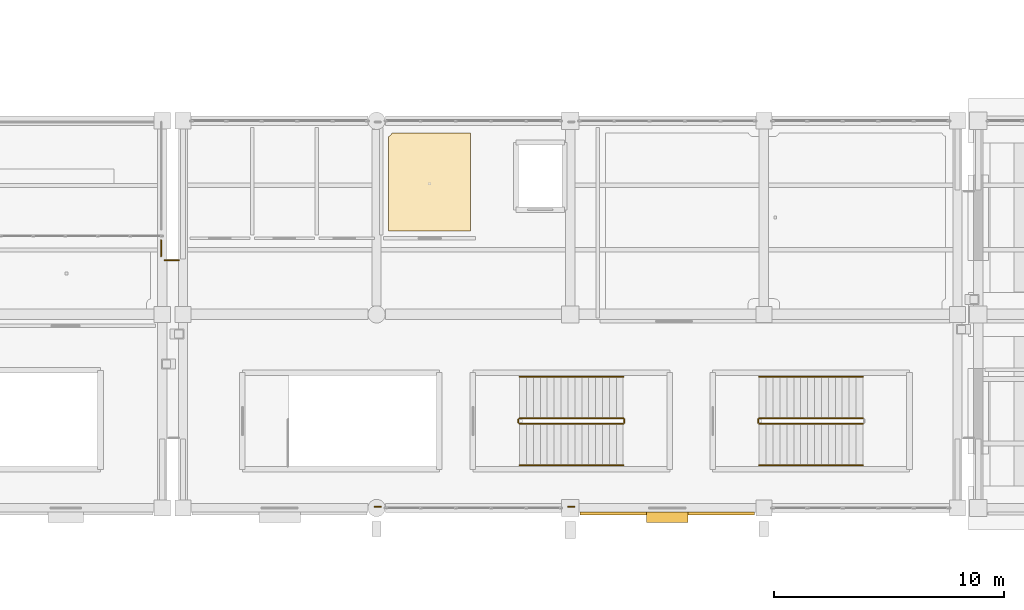
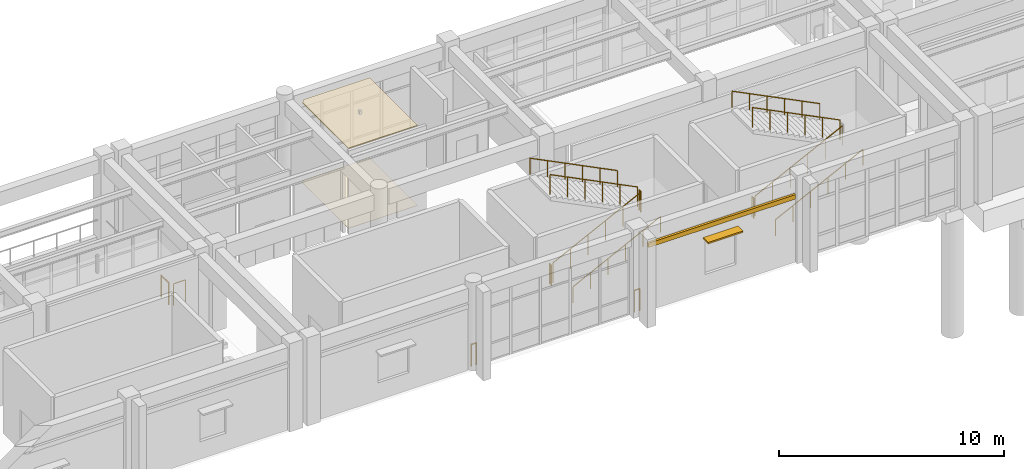
# One storey, part 96 of 111: 15 railings, 3 coverings, 1 shading device.
"""IFC4 building model written with IfcOpenShell, lengths in metres."""

from ifc_helpers import new_model, si_unit, direction, frame, origin, origin_2d, place, context, subcontext, project, spatial, polyline, rectangle, circle, outline, extrude, material, layer, layer_set, type_object, element, save


model = new_model("IFC4")

# Units and contexts
model_context = context("Model", 3, precision=1e-05, world=origin(), true_north=direction((0.0, 1.0)))
body_context = subcontext(model_context, "Body", "Model", "MODEL_VIEW")
ifc_project = project(units=[si_unit("LENGTHUNIT", "METRE"), si_unit("AREAUNIT", "SQUARE_METRE"), si_unit("VOLUMEUNIT", "CUBIC_METRE"), si_unit("PLANEANGLEUNIT", "RADIAN"), si_unit("MASSUNIT", "GRAM", prefix="KILO")], contexts=[model_context])

# Site, building, storey
site_placement = place(None, origin())
site = spatial("IfcSite", under=ifc_project, at=site_placement, CompositionType="ELEMENT")
building_placement = place(site_placement, origin())
building = spatial("IfcBuilding", under=site, at=building_placement, Name="Canglan Escarpment Cableway Terminal", CompositionType="ELEMENT")
storey_placement = place(building_placement, frame((0.0, 0.0, 4.800048828125)))
storey = spatial("IfcBuildingStorey", under=building, at=storey_placement, Name="L01", CompositionType="ELEMENT", Elevation=4.800048828125)

# Coverings
ifc_material_1 = material(Name="Micro-perforated acoustic aluminium ceiling", Category="aluminium")
ifc_layer_1 = layer(ifc_material_1, 0.0400390625, Name="Micro-perforated acoustic aluminium ceiling")
ifc_layer_set_1 = layer_set([ifc_layer_1], Name="Micro-perforated acoustic aluminium ceiling")
covering_type_1 = type_object("IfcCoveringType", Name="COV-CEIL-ACOUSTIC-40", PredefinedType="CEILING", material=ifc_layer_set_1)
covering_1_placement = place(storey_placement, frame((0.0, 0.0, 4.33984375)))
element("IfcCovering", 1, at=covering_1_placement, inside=storey, type_object=covering_type_1, Name="Maternal Care Room suspended acoustic ceiling", PredefinedType="CEILING", context=body_context, shape_type="SweptSolid", body=[
    extrude(outline(polyline([(51.419921875, 24.114013671875), (51.420166015625, 24.115966796875), (51.42041015625, 24.117919921875), (51.4208984375, 24.11962890625), (51.42138671875, 24.121337890625), (51.422119140625, 24.123046875), (51.423095703125, 24.124755859375), (51.42431640625, 24.126220703125), (51.42529296875, 24.127685546875), (51.4267578125, 24.12890625), (51.42822265625, 24.130126953125), (51.4296875, 24.131103515625), (51.431396484375, 24.132080078125), (51.433349609375, 24.1328125), (51.443603515625, 24.13671875), (51.444580078125, 24.136962890625), (51.46337890625, 24.145751953125), (51.464111328125, 24.146240234375), (51.481689453125, 24.15673828125), (51.482666015625, 24.157470703125), (51.499267578125, 24.169677734375), (51.5, 24.17041015625), (51.51513671875, 24.18408203125), (51.515869140625, 24.184814453125), (51.52978515625, 24.2001953125), (51.530517578125, 24.20068359375), (51.54248046875, 24.21728515625), (51.543212890625, 24.21826171875), (51.5537109375, 24.23583984375), (51.55419921875, 24.23681640625), (51.56298828125, 24.25537109375), (51.5634765625, 24.25634765625), (51.567138671875, 24.2666015625), (51.56787109375, 24.2685546875), (51.56884765625, 24.2705078125), (51.570068359375, 24.272216796875), (51.5712890625, 24.273681640625), (51.572998046875, 24.275146484375), (51.574462890625, 24.2763671875), (51.576171875, 24.27734375), (51.577880859375, 24.2783203125), (51.580078125, 24.279052734375), (51.581787109375, 24.279541015625), (51.583984375, 24.27978515625), (51.5859375, 24.280029296875), (54.9599609375, 24.280029296875), (54.9619140625, 24.27978515625), (54.9638671875, 24.279541015625), (54.9658203125, 24.279052734375), (54.9677734375, 24.278564453125), (54.969482421875, 24.277587890625), (54.97119140625, 24.276611328125), (54.97265625, 24.275390625), (54.97412109375, 24.274169921875), (54.9755859375, 24.272705078125), (54.9765625, 24.27099609375), (54.9775390625, 24.269287109375), (54.978515625, 24.267578125), (54.97900390625, 24.265869140625), (54.9794921875, 24.263916015625), (54.97998046875, 24.261962890625), (54.97998046875, 24.260009765625), (54.97998046875, 20.0400390625), (54.97998046875, 20.0380859375), (54.9794921875, 20.0361328125), (54.97900390625, 20.0341796875), (54.978515625, 20.0322265625), (54.9775390625, 20.030517578125), (54.9765625, 20.02880859375), (54.9755859375, 20.02734375), (54.97412109375, 20.02587890625), (54.97265625, 20.0244140625), (54.97119140625, 20.0234375), (54.969482421875, 20.0224609375), (54.9677734375, 20.021484375), (54.9658203125, 20.02099609375), (54.9638671875, 20.0205078125), (54.9619140625, 20.02001953125), (54.9599609375, 20.02001953125), (51.43994140625, 20.02001953125), (51.43798828125, 20.02001953125), (51.43603515625, 20.0205078125), (51.43408203125, 20.02099609375), (51.432373046875, 20.021484375), (51.4306640625, 20.0224609375), (51.428955078125, 20.0234375), (51.42724609375, 20.0244140625), (51.42578125, 20.02587890625), (51.424560546875, 20.02734375), (51.42333984375, 20.02880859375), (51.42236328125, 20.030517578125), (51.42138671875, 20.0322265625), (51.4208984375, 20.0341796875), (51.42041015625, 20.0361328125), (51.420166015625, 20.0380859375), (51.419921875, 20.0400390625), (51.419921875, 24.114013671875)])), origin(), (0.0, 0.0, 1.0), 0.0400390625),
])
ifc_material_2 = material(Name="Carved classical limestone cornice", Category="masonry")
ifc_layer_2 = layer(ifc_material_2, 0.1201171875, Name="Carved classical limestone cornice")
ifc_layer_set_2 = layer_set([ifc_layer_2], Name="Carved classical limestone cornice")
covering_type_2 = type_object("IfcCoveringType", Name="COV-CORNICE-STONE", PredefinedType="CLADDING", material=ifc_layer_set_2)
covering_2_placement = place(storey_placement, frame((63.512451171875, 7.760009765625, 3.52490234375), z_axis=(0.0, 0.0, 1.0), x_axis=(1.0, 0.0, 0.0)))
element("IfcCovering", 2, at=covering_2_placement, inside=storey, type_object=covering_type_2, Name="Classical carved limestone cornice CL-01", PredefinedType="CLADDING", context=body_context, shape_type="SweptSolid", body=[
    extrude(rectangle(XDim=7.574951171875, YDim=0.1201171875, at=origin_2d()), origin(), (0.0, 0.0, 1.0), 0.239990234375),
])
ifc_material_3 = material(Name="Polished mineral terrazzo flooring", Category="concrete")
ifc_layer_3 = layer(ifc_material_3, 0.02001953125, Name="Polished mineral terrazzo flooring")
ifc_layer_set_3 = layer_set([ifc_layer_3], Name="Polished mineral terrazzo flooring")
covering_type_3 = type_object("IfcCoveringType", Name="COV-FLR-TERRAZZO-20", PredefinedType="FLOORING", material=ifc_layer_set_3)
covering_3_placement = place(storey_placement, origin())
element("IfcCovering", 3, at=covering_3_placement, inside=storey, type_object=covering_type_3, Name="Maternal Care Room stone floor finish", PredefinedType="FLOORING", context=body_context, shape_type="SweptSolid", body=[
    extrude(outline(polyline([(51.419921875, 24.114013671875), (51.420166015625, 24.115966796875), (51.42041015625, 24.117919921875), (51.4208984375, 24.11962890625), (51.42138671875, 24.121337890625), (51.422119140625, 24.123046875), (51.423095703125, 24.124755859375), (51.42431640625, 24.126220703125), (51.42529296875, 24.127685546875), (51.4267578125, 24.12890625), (51.42822265625, 24.130126953125), (51.4296875, 24.131103515625), (51.431396484375, 24.132080078125), (51.433349609375, 24.1328125), (51.443603515625, 24.13671875), (51.444580078125, 24.136962890625), (51.46337890625, 24.145751953125), (51.464111328125, 24.146240234375), (51.481689453125, 24.15673828125), (51.482666015625, 24.157470703125), (51.499267578125, 24.169677734375), (51.5, 24.17041015625), (51.51513671875, 24.18408203125), (51.515869140625, 24.184814453125), (51.52978515625, 24.2001953125), (51.530517578125, 24.20068359375), (51.54248046875, 24.21728515625), (51.543212890625, 24.21826171875), (51.5537109375, 24.23583984375), (51.55419921875, 24.23681640625), (51.56298828125, 24.25537109375), (51.5634765625, 24.25634765625), (51.567138671875, 24.2666015625), (51.56787109375, 24.2685546875), (51.56884765625, 24.2705078125), (51.570068359375, 24.272216796875), (51.5712890625, 24.273681640625), (51.572998046875, 24.275146484375), (51.574462890625, 24.2763671875), (51.576171875, 24.27734375), (51.577880859375, 24.2783203125), (51.580078125, 24.279052734375), (51.581787109375, 24.279541015625), (51.583984375, 24.27978515625), (51.5859375, 24.280029296875), (54.9599609375, 24.280029296875), (54.9619140625, 24.27978515625), (54.9638671875, 24.279541015625), (54.9658203125, 24.279052734375), (54.9677734375, 24.278564453125), (54.969482421875, 24.277587890625), (54.97119140625, 24.276611328125), (54.97265625, 24.275390625), (54.97412109375, 24.274169921875), (54.9755859375, 24.272705078125), (54.9765625, 24.27099609375), (54.9775390625, 24.269287109375), (54.978515625, 24.267578125), (54.97900390625, 24.265869140625), (54.9794921875, 24.263916015625), (54.97998046875, 24.261962890625), (54.97998046875, 24.260009765625), (54.97998046875, 20.0400390625), (54.97998046875, 20.0380859375), (54.9794921875, 20.0361328125), (54.97900390625, 20.0341796875), (54.978515625, 20.0322265625), (54.9775390625, 20.030517578125), (54.9765625, 20.02880859375), (54.9755859375, 20.02734375), (54.97412109375, 20.02587890625), (54.97265625, 20.0244140625), (54.97119140625, 20.0234375), (54.969482421875, 20.0224609375), (54.9677734375, 20.021484375), (54.9658203125, 20.02099609375), (54.9638671875, 20.0205078125), (54.9619140625, 20.02001953125), (54.9599609375, 20.02001953125), (51.43994140625, 20.02001953125), (51.43798828125, 20.02001953125), (51.43603515625, 20.0205078125), (51.43408203125, 20.02099609375), (51.432373046875, 20.021484375), (51.4306640625, 20.0224609375), (51.428955078125, 20.0234375), (51.42724609375, 20.0244140625), (51.42578125, 20.02587890625), (51.424560546875, 20.02734375), (51.42333984375, 20.02880859375), (51.42236328125, 20.030517578125), (51.42138671875, 20.0322265625), (51.4208984375, 20.0341796875), (51.42041015625, 20.0361328125), (51.420166015625, 20.0380859375), (51.419921875, 20.0400390625), (51.419921875, 24.114013671875)])), origin(), (0.0, 0.0, 1.0), 0.02001953125),
])

# Railings
ifc_material_4 = material(Name="Carved limestone and anodized bronze balustrade", Category="masonry")
railing_type_1 = type_object("IfcRailingType", Name="RL-EXT-BALUSTRADE-1200", PredefinedType="BALUSTRADE", material=ifc_material_4)
railing_1_placement = place(storey_placement, frame((41.550048828125, 19.610107421875, 0.0)))
element("IfcRailing", 4, at=railing_1_placement, inside=storey, type_object=railing_type_1, Name="Classical terrace balustrade guard GD-01 (L01)", PredefinedType="BALUSTRADE", context=body_context, shape_type="SweptSolid", body=[
    extrude(circle(Radius=0.02392578125, at=origin_2d()), frame((0.0, 0.0, 1.17578125), z_axis=(0.0, -1.0, 0.0), x_axis=(1.0, 0.0, 0.0)), (0.0, 0.0, 1.0), 0.68017578125),
    extrude(circle(Radius=0.02099609375, at=origin_2d()), origin(), (0.0, 0.0, 1.0), 1.15185546875),
    extrude(circle(Radius=0.02099609375, at=origin_2d()), frame((0.0, -0.68017578125, 0.0)), (0.0, 0.0, 1.0), 1.15185546875),
])
railing_2_placement = place(storey_placement, frame((41.699462890625, 18.756103515625, 0.0)))
element("IfcRailing", 5, at=railing_2_placement, inside=storey, type_object=railing_type_1, Name="Classical terrace balustrade guard GD-01 (L01)", PredefinedType="BALUSTRADE", context=body_context, shape_type="SweptSolid", body=[
    extrude(circle(Radius=0.02392578125, at=origin_2d()), frame((0.0, 0.0, 1.17578125), z_axis=(0.99995004372, -0.009995502236, 0.0), x_axis=(0.009995502236, 0.99995004372, 0.0)), (0.0, 0.0, 1.0), 0.610595703125),
    extrude(circle(Radius=0.02099609375, at=origin_2d()), origin(), (0.0, 0.0, 1.0), 1.15185546875),
    extrude(circle(Radius=0.02099609375, at=origin_2d()), frame((0.610595703125, -0.006103515625, 0.0)), (0.0, 0.0, 1.0), 1.15185546875),
])
for number, where, name in (
    (6, (59.485107421875, 8.050048828125, 0.0), "Classical terrace balustrade guard GD-01 (L01)"),
    (7, (51.0849609375, 8.050048828125, 0.0), "Classical terrace balustrade guard GD-01 (L01)"),
):
    element("IfcRailing", number, at=place(storey_placement, frame(where)), inside=storey, type_object=railing_type_1, Name=name, PredefinedType="BALUSTRADE", context=body_context, shape_type="SweptSolid", body=[
        extrude(circle(Radius=0.02392578125, at=origin_2d()), frame((0.0, 0.0, 1.17578125), z_axis=(-1.0, 0.0, 0.0), x_axis=(0.0, -1.0, 0.0)), (0.0, 0.0, 1.0), 0.27001953125),
        extrude(circle(Radius=0.02099609375, at=origin_2d()), origin(), (0.0, 0.0, 1.0), 1.15185546875),
        extrude(circle(Radius=0.02099609375, at=origin_2d()), frame((-0.27001953125, 0.0, 0.0)), (0.0, 0.0, 1.0), 1.15185546875),
    ])
ifc_material_5 = material(Name="Powder-coated steel stair balustrade", Category="steel")
railing_type_2 = type_object("IfcRailingType", Name="RL-STR-GUARD-1100", PredefinedType="BALUSTRADE", material=ifc_material_5)
railing_3_placement = place(storey_placement, frame((57.10009765625, 11.64990234375, 0.14990234375)))
element("IfcRailing", 8, at=railing_3_placement, inside=storey, type_object=railing_type_2, Name="L01 ST-04 stair guard 1", PredefinedType="BALUSTRADE", context=body_context, shape_type="SweptSolid", body=[
    extrude(circle(Radius=0.02392578125, at=origin_2d()), frame((0.0, 0.0, 1.076171875), z_axis=(0.894427191, 0.0, 0.4472135955), x_axis=(0.0, 1.0, 0.0)), (0.0, 0.0, 1.0), 5.03125),
    extrude(circle(Radius=0.02099609375, at=origin_2d()), origin(), (0.0, 0.0, 1.0), 1.052001953125),
    extrude(circle(Radius=0.02099609375, at=origin_2d()), frame((0.89990234375, 0.0, 0.449951171875)), (0.0, 0.0, 1.0), 1.052001953125),
    extrude(circle(Radius=0.02099609375, at=origin_2d()), frame((1.800048828125, 0.0, 0.89990234375)), (0.0, 0.0, 1.0), 1.052001953125),
    extrude(circle(Radius=0.02099609375, at=origin_2d()), frame((2.699951171875, 0.0, 1.35009765625)), (0.0, 0.0, 1.0), 1.052001953125),
    extrude(circle(Radius=0.02099609375, at=origin_2d()), frame((3.60009765625, 0.0, 1.800048828125)), (0.0, 0.0, 1.0), 1.052001953125),
    extrude(circle(Radius=0.02099609375, at=origin_2d()), frame((4.5, 0.0, 2.25)), (0.0, 0.0, 1.0), 1.052001953125),
])
railing_4_placement = place(storey_placement, frame((61.64990234375, 11.699951171875, 2.39990234375)))
element("IfcRailing", 9, at=railing_4_placement, inside=storey, type_object=railing_type_2, Name="L01 ST-04 stair guard 2", PredefinedType="BALUSTRADE", context=body_context, shape_type="SweptSolid", body=[
    extrude(circle(Radius=0.02392578125, at=origin_2d()), frame((0.0, 0.0, 1.076171875), z_axis=(0.0, 1.0, 0.0), x_axis=(-1.0, 0.0, 0.0)), (0.0, 0.0, 1.0), 0.150146484375),
    extrude(circle(Radius=0.02099609375, at=origin_2d()), origin(), (0.0, 0.0, 1.0), 1.052001953125),
    extrude(circle(Radius=0.02099609375, at=origin_2d()), frame((0.0, 0.150146484375, 0.0)), (0.0, 0.0, 1.0), 1.052001953125),
])
railing_5_placement = place(storey_placement, frame((61.60009765625, 11.89990234375, 2.550048828125)))
element("IfcRailing", 10, at=railing_5_placement, inside=storey, type_object=railing_type_2, Name="L01 ST-04 stair guard 3", PredefinedType="BALUSTRADE", context=body_context, shape_type="SweptSolid", body=[
    extrude(circle(Radius=0.02392578125, at=origin_2d()), frame((0.0, 0.0, 1.076171875), z_axis=(-0.894427191, 0.0, 0.4472135955), x_axis=(0.0, -1.0, 0.0)), (0.0, 0.0, 1.0), 5.03125),
    extrude(circle(Radius=0.02099609375, at=origin_2d()), origin(), (0.0, 0.0, 1.0), 1.052001953125),
    extrude(circle(Radius=0.02099609375, at=origin_2d()), frame((-0.89990234375, 0.0, 0.449951171875)), (0.0, 0.0, 1.0), 1.052001953125),
    extrude(circle(Radius=0.02099609375, at=origin_2d()), frame((-1.800048828125, 0.0, 0.89990234375)), (0.0, 0.0, 1.0), 1.052001953125),
    extrude(circle(Radius=0.02099609375, at=origin_2d()), frame((-2.699951171875, 0.0, 1.35009765625)), (0.0, 0.0, 1.0), 1.052001953125),
    extrude(circle(Radius=0.02099609375, at=origin_2d()), frame((-3.60009765625, 0.0, 1.800048828125)), (0.0, 0.0, 1.0), 1.052001953125),
    extrude(circle(Radius=0.02099609375, at=origin_2d()), frame((-4.5, 0.0, 2.25)), (0.0, 0.0, 1.0), 1.052001953125),
])
railing_6_placement = place(storey_placement, frame((57.050048828125, 11.699951171875, 0.0)))
element("IfcRailing", 11, at=railing_6_placement, inside=storey, type_object=railing_type_2, Name="L01 ST-04 stair guard 4", PredefinedType="BALUSTRADE", context=body_context, shape_type="SweptSolid", body=[
    extrude(circle(Radius=0.02392578125, at=origin_2d()), frame((0.0, 0.0, 1.076171875), z_axis=(0.0, 1.0, 0.0), x_axis=(-1.0, 0.0, 0.0)), (0.0, 0.0, 1.0), 0.150146484375),
    extrude(circle(Radius=0.02099609375, at=origin_2d()), origin(), (0.0, 0.0, 1.0), 1.052001953125),
    extrude(circle(Radius=0.02099609375, at=origin_2d()), frame((0.0, 0.150146484375, 0.0)), (0.0, 0.0, 1.0), 1.052001953125),
])
railing_7_placement = place(storey_placement, frame((67.5, 11.64990234375, 0.14990234375)))
element("IfcRailing", 12, at=railing_7_placement, inside=storey, type_object=railing_type_2, Name="L01 ST-05 stair guard 1", PredefinedType="BALUSTRADE", context=body_context, shape_type="SweptSolid", body=[
    extrude(circle(Radius=0.02392578125, at=origin_2d()), frame((0.0, 0.0, 1.076171875), z_axis=(0.894427191, 0.0, 0.4472135955), x_axis=(0.0, 1.0, 0.0)), (0.0, 0.0, 1.0), 5.03125),
    extrude(circle(Radius=0.02099609375, at=origin_2d()), origin(), (0.0, 0.0, 1.0), 1.052001953125),
    extrude(circle(Radius=0.02099609375, at=origin_2d()), frame((0.89990234375, 0.0, 0.449951171875)), (0.0, 0.0, 1.0), 1.052001953125),
    extrude(circle(Radius=0.02099609375, at=origin_2d()), frame((1.800048828125, 0.0, 0.89990234375)), (0.0, 0.0, 1.0), 1.052001953125),
    extrude(circle(Radius=0.02099609375, at=origin_2d()), frame((2.699951171875, 0.0, 1.35009765625)), (0.0, 0.0, 1.0), 1.052001953125),
    extrude(circle(Radius=0.02099609375, at=origin_2d()), frame((3.60009765625, 0.0, 1.800048828125)), (0.0, 0.0, 1.0), 1.052001953125),
    extrude(circle(Radius=0.02099609375, at=origin_2d()), frame((4.5, 0.0, 2.25)), (0.0, 0.0, 1.0), 1.052001953125),
])
railing_8_placement = place(storey_placement, frame((72.0, 11.89990234375, 2.550048828125)))
element("IfcRailing", 13, at=railing_8_placement, inside=storey, type_object=railing_type_2, Name="L01 ST-05 stair guard 3", PredefinedType="BALUSTRADE", context=body_context, shape_type="SweptSolid", body=[
    extrude(circle(Radius=0.02392578125, at=origin_2d()), frame((0.0, 0.0, 1.076171875), z_axis=(-0.894427191, 0.0, 0.4472135955), x_axis=(0.0, -1.0, 0.0)), (0.0, 0.0, 1.0), 5.03125),
    extrude(circle(Radius=0.02099609375, at=origin_2d()), origin(), (0.0, 0.0, 1.0), 1.052001953125),
    extrude(circle(Radius=0.02099609375, at=origin_2d()), frame((-0.89990234375, 0.0, 0.449951171875)), (0.0, 0.0, 1.0), 1.052001953125),
    extrude(circle(Radius=0.02099609375, at=origin_2d()), frame((-1.800048828125, 0.0, 0.89990234375)), (0.0, 0.0, 1.0), 1.052001953125),
    extrude(circle(Radius=0.02099609375, at=origin_2d()), frame((-2.699951171875, 0.0, 1.35009765625)), (0.0, 0.0, 1.0), 1.052001953125),
    extrude(circle(Radius=0.02099609375, at=origin_2d()), frame((-3.60009765625, 0.0, 1.800048828125)), (0.0, 0.0, 1.0), 1.052001953125),
    extrude(circle(Radius=0.02099609375, at=origin_2d()), frame((-4.5, 0.0, 2.25)), (0.0, 0.0, 1.0), 1.052001953125),
])
railing_9_placement = place(storey_placement, frame((67.449951171875, 11.699951171875, 0.0)))
element("IfcRailing", 14, at=railing_9_placement, inside=storey, type_object=railing_type_2, Name="L01 ST-05 stair guard 4", PredefinedType="BALUSTRADE", context=body_context, shape_type="SweptSolid", body=[
    extrude(circle(Radius=0.02392578125, at=origin_2d()), frame((0.0, 0.0, 1.076171875), z_axis=(0.0, 1.0, 0.0), x_axis=(-1.0, 0.0, 0.0)), (0.0, 0.0, 1.0), 0.150146484375),
    extrude(circle(Radius=0.02099609375, at=origin_2d()), origin(), (0.0, 0.0, 1.0), 1.052001953125),
    extrude(circle(Radius=0.02099609375, at=origin_2d()), frame((0.0, 0.150146484375, 0.0)), (0.0, 0.0, 1.0), 1.052001953125),
])
ifc_material_6 = material(Name="Brushed stainless steel 304 handrail", Category="steel")
railing_type_3 = type_object("IfcRailingType", Name="RL-STR-HR-900", PredefinedType="HANDRAIL", material=ifc_material_6)
railing_10_placement = place(storey_placement, frame((57.10009765625, 9.85009765625, 0.14990234375)))
element("IfcRailing", 15, at=railing_10_placement, inside=storey, type_object=railing_type_3, Name="L01 ST-04 stair handrail 1", PredefinedType="HANDRAIL", context=body_context, shape_type="SweptSolid", body=[
    extrude(circle(Radius=0.02392578125, at=origin_2d()), frame((0.0, 0.0, 0.8759765625), z_axis=(0.894427191, 0.0, 0.4472135955), x_axis=(0.0, 1.0, 0.0)), (0.0, 0.0, 1.0), 5.03125),
    extrude(circle(Radius=0.02099609375, at=origin_2d()), origin(), (0.0, 0.0, 1.0), 0.851806640625),
    extrude(circle(Radius=0.02099609375, at=origin_2d()), frame((0.89990234375, 0.0, 0.449951171875)), (0.0, 0.0, 1.0), 0.851806640625),
    extrude(circle(Radius=0.02099609375, at=origin_2d()), frame((1.800048828125, 0.0, 0.89990234375)), (0.0, 0.0, 1.0), 0.851806640625),
    extrude(circle(Radius=0.02099609375, at=origin_2d()), frame((2.699951171875, 0.0, 1.35009765625)), (0.0, 0.0, 1.0), 0.851806640625),
    extrude(circle(Radius=0.02099609375, at=origin_2d()), frame((3.60009765625, 0.0, 1.800048828125)), (0.0, 0.0, 1.0), 0.851806640625),
    extrude(circle(Radius=0.02099609375, at=origin_2d()), frame((4.5, 0.0, 2.25)), (0.0, 0.0, 1.0), 0.851806640625),
])
railing_11_placement = place(storey_placement, frame((61.60009765625, 13.699951171875, 2.550048828125)))
element("IfcRailing", 16, at=railing_11_placement, inside=storey, type_object=railing_type_3, Name="L01 ST-04 stair handrail 2", PredefinedType="HANDRAIL", context=body_context, shape_type="SweptSolid", body=[
    extrude(circle(Radius=0.02392578125, at=origin_2d()), frame((0.0, 0.0, 0.8759765625), z_axis=(-0.894427191, 0.0, 0.4472135955), x_axis=(0.0, -1.0, 0.0)), (0.0, 0.0, 1.0), 5.03125),
    extrude(circle(Radius=0.02099609375, at=origin_2d()), origin(), (0.0, 0.0, 1.0), 0.851806640625),
    extrude(circle(Radius=0.02099609375, at=origin_2d()), frame((-0.89990234375, 0.0, 0.449951171875)), (0.0, 0.0, 1.0), 0.851806640625),
    extrude(circle(Radius=0.02099609375, at=origin_2d()), frame((-1.800048828125, 0.0, 0.89990234375)), (0.0, 0.0, 1.0), 0.851806640625),
    extrude(circle(Radius=0.02099609375, at=origin_2d()), frame((-2.699951171875, 0.0, 1.35009765625)), (0.0, 0.0, 1.0), 0.851806640625),
    extrude(circle(Radius=0.02099609375, at=origin_2d()), frame((-3.60009765625, 0.0, 1.800048828125)), (0.0, 0.0, 1.0), 0.851806640625),
    extrude(circle(Radius=0.02099609375, at=origin_2d()), frame((-4.5, 0.0, 2.25)), (0.0, 0.0, 1.0), 0.851806640625),
])
railing_12_placement = place(storey_placement, frame((67.5, 9.85009765625, 0.14990234375)))
element("IfcRailing", 17, at=railing_12_placement, inside=storey, type_object=railing_type_3, Name="L01 ST-05 stair handrail 1", PredefinedType="HANDRAIL", context=body_context, shape_type="SweptSolid", body=[
    extrude(circle(Radius=0.02392578125, at=origin_2d()), frame((0.0, 0.0, 0.8759765625), z_axis=(0.894427191, 0.0, 0.4472135955), x_axis=(0.0, 1.0, 0.0)), (0.0, 0.0, 1.0), 5.03125),
    extrude(circle(Radius=0.02099609375, at=origin_2d()), origin(), (0.0, 0.0, 1.0), 0.851806640625),
    extrude(circle(Radius=0.02099609375, at=origin_2d()), frame((0.89990234375, 0.0, 0.449951171875)), (0.0, 0.0, 1.0), 0.851806640625),
    extrude(circle(Radius=0.02099609375, at=origin_2d()), frame((1.800048828125, 0.0, 0.89990234375)), (0.0, 0.0, 1.0), 0.851806640625),
    extrude(circle(Radius=0.02099609375, at=origin_2d()), frame((2.699951171875, 0.0, 1.35009765625)), (0.0, 0.0, 1.0), 0.851806640625),
    extrude(circle(Radius=0.02099609375, at=origin_2d()), frame((3.60009765625, 0.0, 1.800048828125)), (0.0, 0.0, 1.0), 0.851806640625),
    extrude(circle(Radius=0.02099609375, at=origin_2d()), frame((4.5, 0.0, 2.25)), (0.0, 0.0, 1.0), 0.851806640625),
])
railing_13_placement = place(storey_placement, frame((72.0, 13.699951171875, 2.550048828125)))
element("IfcRailing", 18, at=railing_13_placement, inside=storey, type_object=railing_type_3, Name="L01 ST-05 stair handrail 2", PredefinedType="HANDRAIL", context=body_context, shape_type="SweptSolid", body=[
    extrude(circle(Radius=0.02392578125, at=origin_2d()), frame((0.0, 0.0, 0.8759765625), z_axis=(-0.894427191, 0.0, 0.4472135955), x_axis=(0.0, -1.0, 0.0)), (0.0, 0.0, 1.0), 5.03125),
    extrude(circle(Radius=0.02099609375, at=origin_2d()), origin(), (0.0, 0.0, 1.0), 0.851806640625),
    extrude(circle(Radius=0.02099609375, at=origin_2d()), frame((-0.89990234375, 0.0, 0.449951171875)), (0.0, 0.0, 1.0), 0.851806640625),
    extrude(circle(Radius=0.02099609375, at=origin_2d()), frame((-1.800048828125, 0.0, 0.89990234375)), (0.0, 0.0, 1.0), 0.851806640625),
    extrude(circle(Radius=0.02099609375, at=origin_2d()), frame((-2.699951171875, 0.0, 1.35009765625)), (0.0, 0.0, 1.0), 0.851806640625),
    extrude(circle(Radius=0.02099609375, at=origin_2d()), frame((-3.60009765625, 0.0, 1.800048828125)), (0.0, 0.0, 1.0), 0.851806640625),
    extrude(circle(Radius=0.02099609375, at=origin_2d()), frame((-4.5, 0.0, 2.25)), (0.0, 0.0, 1.0), 0.851806640625),
])

# Shading device
ifc_material_7 = material(Name="Anodized architectural bronze aluminium", Category="aluminium")
ifc_layer_4 = layer(ifc_material_7, 0.080078125, Name="Anodized architectural bronze aluminium")
ifc_layer_set_4 = layer_set([ifc_layer_4], Name="Anodized architectural bronze aluminium")
shading_device_type = type_object("IfcShadingDeviceType", Name="SHD-BRONZE-LOUVRE-01", PredefinedType="JALOUSIE", material=ifc_layer_set_4)
shading_device_placement = place(storey_placement, frame((63.512451171875, 7.594970703125, 2.919921875), z_axis=(0.0, 0.0, 1.0), x_axis=(1.0, 0.0, 0.0)))
element("IfcShadingDevice", 19, at=shading_device_placement, inside=storey, type_object=shading_device_type, Name="Anodized bronze sun-shading brise-soleil SD-01", PredefinedType="JALOUSIE", context=body_context, shape_type="SweptSolid", body=[
    extrude(rectangle(XDim=1.800048828125, YDim=0.449951171875, at=origin_2d()), origin(), (0.0, 0.0, 1.0), 0.080078125),
])

save(model, "model.ifc")
